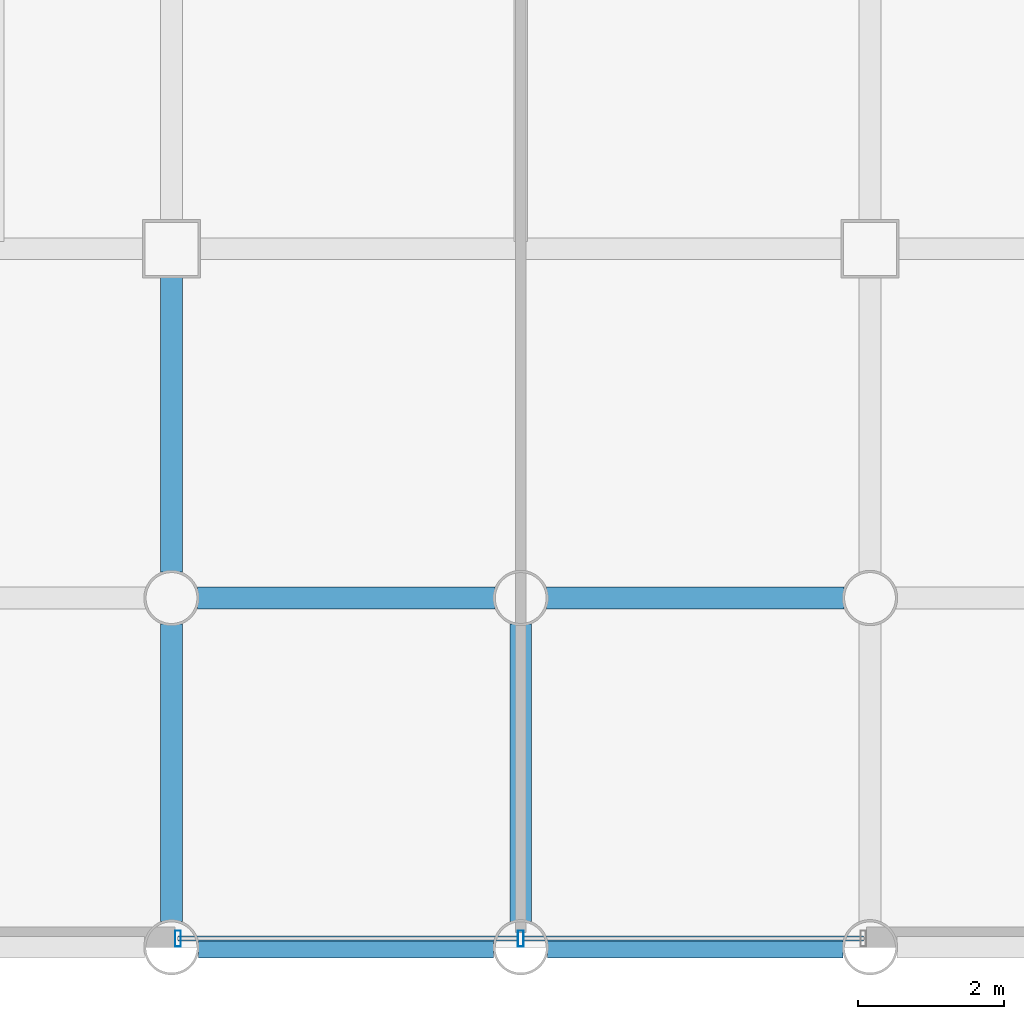
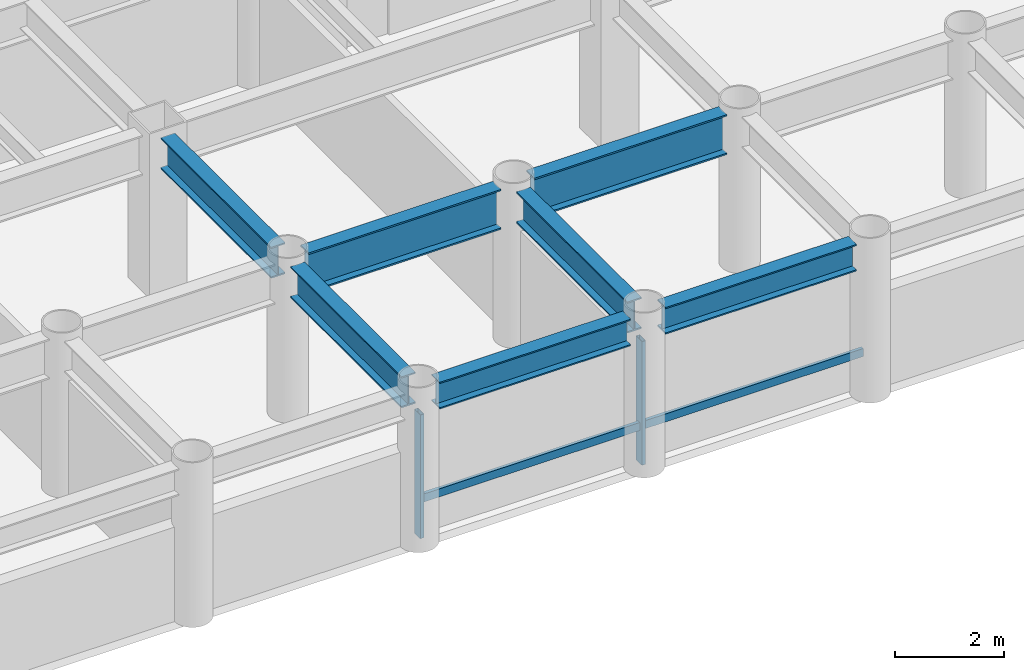
# One storey, part 2 of 19: 7 beams, 4 members, 1 element without a shape of its own.
"""IFC4 building model written with IfcOpenShell, lengths in metres."""

from ifc_helpers import new_model, si_unit, direction, frame, origin, origin_2d, place, context, subcontext, project, spatial, hollow_rectangle, i_section, extrude, material, layer, layer_set, material_profile, profile_set, type_object, element, aggregate, save


model = new_model("IFC4")

# Units and contexts
model_context = context("Model", 3, precision=1e-05, world=origin(), true_north=direction((0.0, 1.0)))
body_context = subcontext(model_context, "Body", "Model", "MODEL_VIEW")
ifc_project = project(units=[si_unit("LENGTHUNIT", "METRE"), si_unit("AREAUNIT", "SQUARE_METRE"), si_unit("VOLUMEUNIT", "CUBIC_METRE"), si_unit("PLANEANGLEUNIT", "RADIAN"), si_unit("MASSUNIT", "GRAM", prefix="KILO")], contexts=[model_context])

# Site, building, storey
site_placement = place(None, origin())
site = spatial("IfcSite", under=ifc_project, at=site_placement, CompositionType="ELEMENT")
building_placement = place(site_placement, origin())
building = spatial("IfcBuilding", under=site, at=building_placement, Name="Kallvorn Hotel Tower", CompositionType="ELEMENT")
storey_placement = place(building_placement, frame((0.0, 0.0, 63.300048828125)))
storey = spatial("IfcBuildingStorey", under=building, at=storey_placement, Name="L14", CompositionType="ELEMENT", Elevation=63.300048828125)

# Beams
ifc_material_1 = material(Name="Structural steel S355JR", Category="steel")
ifc_material_profile_1 = material_profile(ifc_material_1, i_section(OverallWidth=0.300048828125, OverallDepth=0.60009765625, WebThickness=0.015380859375, FlangeThickness=0.030029296875, at=origin_2d()), Name="HE 600 B")
ifc_profile_set_1 = profile_set([ifc_material_profile_1], Name="Structural steel S355JR")
beam_type_1 = type_object("IfcBeamType", Name="BM_HE600B", PredefinedType="SPANDREL", material=ifc_profile_set_1)
for number, where, z_axis, x_axis, name in (
    (1, (-4.428955078125, -24.0, 3.219970703125), (1.0, 0.0, 0.0), (0.0, 1.0, 0.0), "L15 Perimeter Spandrel 155"),
    (2, (0.37109375, -24.0, 3.219970703125), (1.0, 0.0, 0.0), (0.0, 1.0, 0.0), "L15 Perimeter Spandrel 156"),
):
    element("IfcBeam", number, at=place(storey_placement, frame(where, z_axis=z_axis, x_axis=x_axis)), inside=storey, type_object=beam_type_1, Name=name, PredefinedType="SPANDREL", context=body_context, shape_type="SweptSolid", body=[
        extrude(i_section(OverallWidth=0.300048828125, OverallDepth=0.60009765625, WebThickness=0.015380859375, FlangeThickness=0.030029296875, at=origin_2d()), origin(), (0.0, 0.0, 1.0), 4.057861328125),
    ])
ifc_material_2 = material(Name="Structural steel S355JR", Category="steel")
ifc_material_profile_2 = material_profile(ifc_material_2, i_section(OverallWidth=0.300048828125, OverallDepth=0.699951171875, WebThickness=0.01708984375, FlangeThickness=0.031982421875, at=origin_2d()), Name="HE 700 B")
ifc_profile_set_2 = profile_set([ifc_material_profile_2], Name="Structural steel S355JR")
beam_type_2 = type_object("IfcBeamType", Name="BM_HE700B", PredefinedType="BEAM", material=ifc_profile_set_2)
beam_1_placement = place(storey_placement, frame((-4.800048828125, -23.64404296875, 3.169921875), z_axis=(0.0, 1.0, 0.0), x_axis=(-1.0, 0.0, 0.0)))
element("IfcBeam", 3, at=beam_1_placement, inside=storey, type_object=beam_type_2, Name="L15 Primary Y-Girder 105", PredefinedType="BEAM", context=body_context, shape_type="SweptSolid", body=[
    extrude(i_section(OverallWidth=0.300048828125, OverallDepth=0.699951171875, WebThickness=0.01708984375, FlangeThickness=0.031982421875, at=origin_2d()), origin(), (0.0, 0.0, 1.0), 4.088134765625),
])
beam_2_placement = place(storey_placement, frame((-4.800048828125, -18.843994140625, 3.169921875), z_axis=(0.0, 1.0, 0.0), x_axis=(-1.0, 0.0, 0.0)))
element("IfcBeam", 4, at=beam_2_placement, inside=storey, type_object=beam_type_2, Name="L15 Primary Y-Girder 106", PredefinedType="BEAM", context=body_context, shape_type="SweptSolid", body=[
    extrude(i_section(OverallWidth=0.300048828125, OverallDepth=0.699951171875, WebThickness=0.01708984375, FlangeThickness=0.031982421875, at=origin_2d()), origin(), (0.0, 0.0, 1.0), 4.069091796875),
])
beam_3_placement = place(storey_placement, frame((0.0, -23.64404296875, 3.169921875), z_axis=(0.0, 1.0, 0.0), x_axis=(-1.0, 0.0, 0.0)))
element("IfcBeam", 5, at=beam_3_placement, inside=storey, type_object=beam_type_2, Name="L15 Primary Y-Girder 110", PredefinedType="BEAM", context=body_context, shape_type="SweptSolid", body=[
    extrude(i_section(OverallWidth=0.300048828125, OverallDepth=0.699951171875, WebThickness=0.01708984375, FlangeThickness=0.031982421875, at=origin_2d()), origin(), (0.0, 0.0, 1.0), 4.088134765625),
])
ifc_material_3 = material(Name="Structural steel S355JR", Category="steel")
ifc_material_profile_3 = material_profile(ifc_material_3, i_section(OverallWidth=0.300048828125, OverallDepth=0.89990234375, WebThickness=0.0185546875, FlangeThickness=0.034912109375, at=origin_2d()), Name="HE 900 B")
ifc_profile_set_3 = profile_set([ifc_material_profile_3], Name="Structural steel S355JR")
beam_type_3 = type_object("IfcBeamType", Name="BM_HE900B", PredefinedType="BEAM", material=ifc_profile_set_3)
for number, where, z_axis, x_axis, name in (
    (6, (-4.444091796875, -19.199951171875, 3.070068359375), (1.0, 0.0, 0.0), (0.0, 1.0, 0.0), "L15 Primary X-Girder 06"),
    (7, (0.35595703125, -19.199951171875, 3.070068359375), (1.0, 0.0, 0.0), (0.0, 1.0, 0.0), "L15 Primary X-Girder 07"),
):
    element("IfcBeam", number, at=place(storey_placement, frame(where, z_axis=z_axis, x_axis=x_axis)), inside=storey, type_object=beam_type_3, Name=name, PredefinedType="BEAM", context=body_context, shape_type="SweptSolid", body=[
        extrude(i_section(OverallWidth=0.300048828125, OverallDepth=0.89990234375, WebThickness=0.0185546875, FlangeThickness=0.034912109375, at=origin_2d()), origin(), (0.0, 0.0, 1.0), 4.088134765625),
    ])

# Curtain wall, members
ifc_material_4 = material(Name="Thermally broken black-anodised aluminium AA 6063-T6", Category="aluminium")
ifc_layer = layer(ifc_material_4, 0.199951171875)
ifc_layer_set = layer_set([ifc_layer], Name="CW_SYS_3_HOTEL_LOW")
curtain_wall_type = type_object("IfcCurtainWallType", Name="CW_SYS_3_HOTEL_LOW", PredefinedType="USERDEFINED", material=ifc_layer_set)
curtain_wall_placement = place(storey_placement, origin())
curtain_wall = element("IfcCurtainWall", 8, at=curtain_wall_placement, inside=storey, type_object=curtain_wall_type, Name="L14 Dark-Glass Curtain Wall CW-L14-SC", ObjectType="UNITISED CURTAIN WALL", PredefinedType="USERDEFINED")
ifc_material_5 = material(Name="Thermally broken black-anodised aluminium AA 6063-T6", Category="aluminium")
ifc_material_profile_4 = material_profile(ifc_material_5, hollow_rectangle(XDim=0.080078125, YDim=0.219970703125, WallThickness=0.0048828125, at=origin_2d()), Name="MUL 220x80")
ifc_profile_set_4 = profile_set([ifc_material_profile_4], Name="Thermally broken black-anodised aluminium AA 6063-T6")
member_type_1 = type_object("IfcMemberType", Name="CW_MULLION_220x80", PredefinedType="MULLION", material=ifc_profile_set_4)
member_1_placement = place(storey_placement, frame((-4.7099609375, -23.8798828125, 0.02001953125), z_axis=(0.0, 0.0, 1.0), x_axis=(1.0, 0.0, 0.0)))
member_1 = element("IfcMember", 9, at=member_1_placement, type_object=member_type_1, Name="CW-L14-SC Mullion 00", PredefinedType="MULLION", context=body_context, shape_type="SweptSolid", body=[
    extrude(hollow_rectangle(XDim=0.080078125, YDim=0.219970703125, WallThickness=0.0048828125, at=origin_2d()), origin(), (0.0, 0.0, 1.0), 2.780029296875),
])
member_2_placement = place(storey_placement, frame((0.0, -23.8798828125, 0.02001953125), z_axis=(0.0, 0.0, 1.0), x_axis=(1.0, 0.0, 0.0)))
member_2 = element("IfcMember", 10, at=member_2_placement, type_object=member_type_1, Name="CW-L14-SC Mullion 01", PredefinedType="MULLION", context=body_context, shape_type="SweptSolid", body=[
    extrude(hollow_rectangle(XDim=0.080078125, YDim=0.219970703125, WallThickness=0.0048828125, at=origin_2d()), origin(), (0.0, 0.0, 1.0), 2.780029296875),
])
ifc_material_6 = material(Name="Thermally broken black-anodised aluminium AA 6063-T6", Category="aluminium")
ifc_material_profile_5 = material_profile(ifc_material_6, hollow_rectangle(XDim=0.070068359375, YDim=0.179931640625, WallThickness=0.00390625, at=origin_2d()), Name="TRN 180x70")
ifc_profile_set_5 = profile_set([ifc_material_profile_5], Name="Thermally broken black-anodised aluminium AA 6063-T6")
member_type_2 = type_object("IfcMemberType", Name="CW_TRANSOM_180x70", PredefinedType="USERDEFINED", material=ifc_profile_set_5)
member_3_placement = place(storey_placement, frame((-4.7099609375, -23.8798828125, 0.849853515625), z_axis=(1.0, 0.0, 0.0), x_axis=(0.0, 1.0, 0.0)))
member_3 = element("IfcMember", 11, at=member_3_placement, type_object=member_type_2, Name="CW-L14-SC Transom 00M", ObjectType="TRANSOM", PredefinedType="USERDEFINED", context=body_context, shape_type="SweptSolid", body=[
    extrude(hollow_rectangle(XDim=0.070068359375, YDim=0.179931640625, WallThickness=0.00390625, at=origin_2d()), origin(), (0.0, 0.0, 1.0), 4.669921875),
])
member_4_placement = place(storey_placement, frame((0.0400390625, -23.8798828125, 0.849853515625), z_axis=(1.0, 0.0, 0.0), x_axis=(0.0, 1.0, 0.0)))
member_4 = element("IfcMember", 12, at=member_4_placement, type_object=member_type_2, Name="CW-L14-SC Transom 01M", ObjectType="TRANSOM", PredefinedType="USERDEFINED", context=body_context, shape_type="SweptSolid", body=[
    extrude(hollow_rectangle(XDim=0.070068359375, YDim=0.179931640625, WallThickness=0.00390625, at=origin_2d()), origin(), (0.0, 0.0, 1.0), 4.669921875),
])
aggregate(curtain_wall, [member_1, member_2, member_3, member_4])

save(model, "model.ifc")
